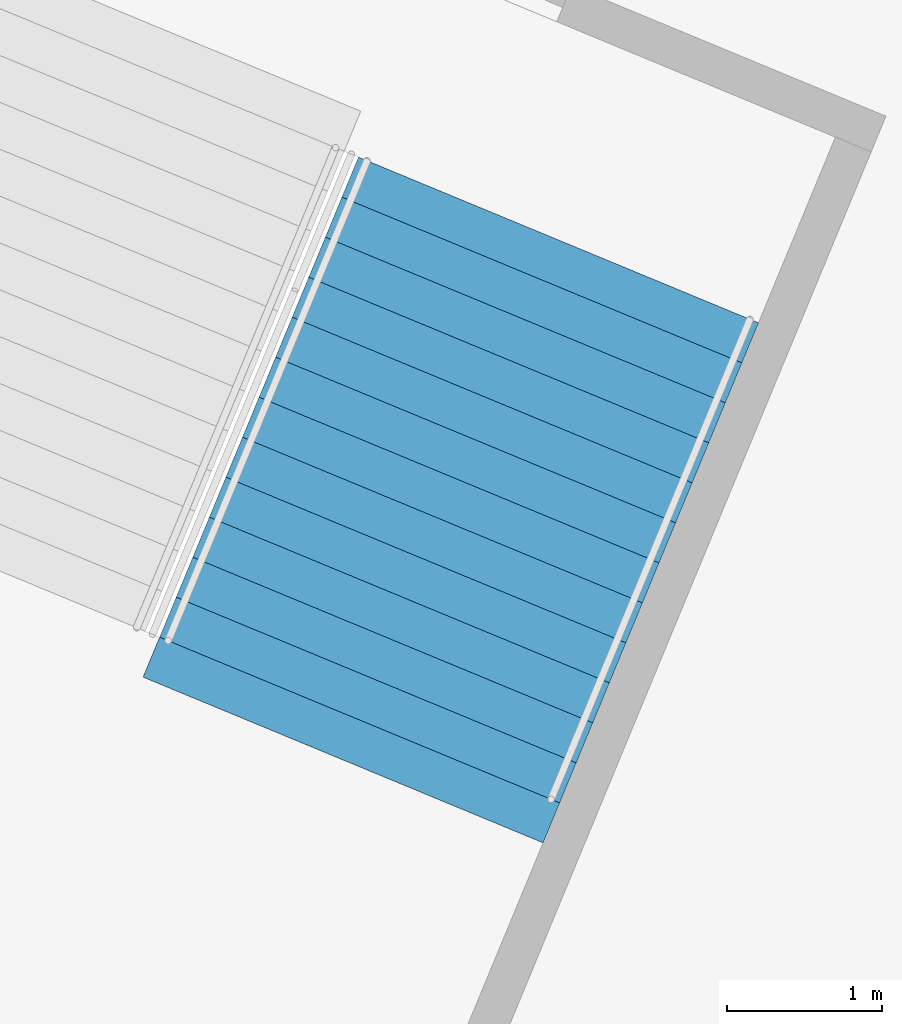
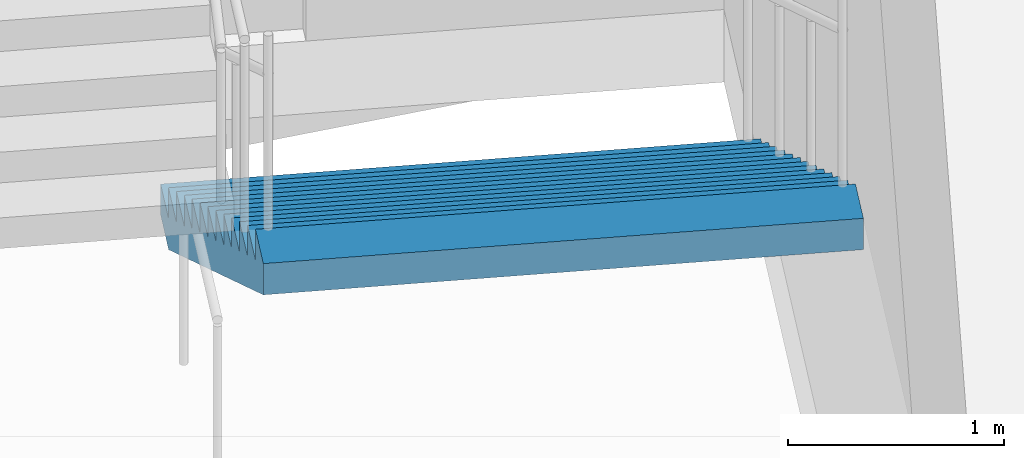
# One storey, part 108 of 199: 1 stair flight, 1 element without a shape of its own.
"""IFC4 building model written with IfcOpenShell, lengths in metres."""

from ifc_helpers import new_model, si_unit, direction, frame, origin, place, context, subcontext, project, spatial, faceted_brep, material, type_object, element, aggregate, save


model = new_model("IFC4")

# Units and contexts
model_context = context("Model", 3, precision=1e-05, world=origin(), true_north=direction((0.0, 1.0)))
body_context = subcontext(model_context, "Body", "Model", "MODEL_VIEW")
ifc_project = project(units=[si_unit("LENGTHUNIT", "METRE"), si_unit("AREAUNIT", "SQUARE_METRE"), si_unit("VOLUMEUNIT", "CUBIC_METRE"), si_unit("PLANEANGLEUNIT", "RADIAN"), si_unit("MASSUNIT", "GRAM", prefix="KILO")], contexts=[model_context])

# Site, building, storey
site_placement = place(None, origin())
site = spatial("IfcSite", under=ifc_project, at=site_placement, CompositionType="ELEMENT")
building_placement = place(site_placement, origin())
building = spatial("IfcBuilding", under=site, at=building_placement, Name="Ogive Plaza Stadium", CompositionType="ELEMENT")
storey_placement = place(building_placement, frame((0.0, 0.0, 4.5)))
storey = spatial("IfcBuildingStorey", under=building, at=storey_placement, Name="L01", CompositionType="ELEMENT", Elevation=4.5)

# Stair, stair flight
ifc_material_1 = material(Name="Concrete C40/50", Category="concrete")
stair_type = type_object("IfcStairType", Name="Exit stair", PredefinedType="STRAIGHT_RUN_STAIR", material=ifc_material_1)
stair_placement = place(storey_placement, origin())
stair = element("IfcStair", 1, at=stair_placement, inside=storey, type_object=stair_type, Name="Exit stair ST18B L01 to L02", PredefinedType="STRAIGHT_RUN_STAIR")
ifc_material_2 = material(Name="Concrete C40/50", Category="concrete")
stair_flight_type = type_object("IfcStairFlightType", Name="Exit stair flight", PredefinedType="STRAIGHT", material=ifc_material_2)
stair_flight_placement = place(storey_placement, frame((-46.118408203125, -93.319580078125, 0.0), z_axis=(0.0, 0.0, 1.0), x_axis=(-0.382683432365, -0.923879532511, 0.0)))
stair_flight = element("IfcStairFlight", 2, at=stair_flight_placement, type_object=stair_flight_type, Name="ST18B flight 1", NumberOfRisers=13, NumberOfTreads=12, PredefinedType="STRAIGHT", RiserHeight=0.173076923, TreadLength=0.28, context=body_context, shape_type="Brep", body=[
    faceted_brep([(0.28515625, -1.39990234375, 0.0), (3.639892578125, -1.39990234375, 2.07373046875), (3.639892578125, -1.39990234375, 2.25), (3.360107421875, -1.39990234375, 2.25), (3.360107421875, -1.39990234375, 2.076904296875), (3.080078125, -1.39990234375, 2.076904296875), (3.080078125, -1.39990234375, 1.90380859375), (2.800048828125, -1.39990234375, 1.90380859375), (2.800048828125, -1.39990234375, 1.730712890625), (2.52001953125, -1.39990234375, 1.730712890625), (2.52001953125, -1.39990234375, 1.5576171875), (2.239990234375, -1.39990234375, 1.5576171875), (2.239990234375, -1.39990234375, 1.384521484375), (1.9599609375, -1.39990234375, 1.384521484375), (1.9599609375, -1.39990234375, 1.21142578125), (1.679931640625, -1.39990234375, 1.21142578125), (1.679931640625, -1.39990234375, 1.03857421875), (1.39990234375, -1.39990234375, 1.03857421875), (1.39990234375, -1.39990234375, 0.865478515625), (1.1201171875, -1.39990234375, 0.865478515625), (1.1201171875, -1.39990234375, 0.6923828125), (0.840087890625, -1.39990234375, 0.6923828125), (0.840087890625, -1.39990234375, 0.519287109375), (0.56005859375, -1.39990234375, 0.519287109375), (0.56005859375, -1.39990234375, 0.34619140625), (0.280029296875, -1.39990234375, 0.34619140625), (0.280029296875, -1.39990234375, 0.173095703125), (0.0, -1.39990234375, 0.173095703125), (0.0, -1.39990234375, 0.0), (0.0, 1.39990234375, 0.0), (0.0, 1.39990234375, 0.173095703125), (0.280029296875, 1.39990234375, 0.173095703125), (0.280029296875, 1.39990234375, 0.34619140625), (0.56005859375, 1.39990234375, 0.34619140625), (0.56005859375, 1.39990234375, 0.519287109375), (0.840087890625, 1.39990234375, 0.519287109375), (0.840087890625, 1.39990234375, 0.6923828125), (1.1201171875, 1.39990234375, 0.6923828125), (1.1201171875, 1.39990234375, 0.865478515625), (1.39990234375, 1.39990234375, 0.865478515625), (1.39990234375, 1.39990234375, 1.03857421875), (1.679931640625, 1.39990234375, 1.03857421875), (1.679931640625, 1.39990234375, 1.21142578125), (1.9599609375, 1.39990234375, 1.21142578125), (1.9599609375, 1.39990234375, 1.384521484375), (2.239990234375, 1.39990234375, 1.384521484375), (2.239990234375, 1.39990234375, 1.5576171875), (2.52001953125, 1.39990234375, 1.5576171875), (2.52001953125, 1.39990234375, 1.730712890625), (2.800048828125, 1.39990234375, 1.730712890625), (2.800048828125, 1.39990234375, 1.90380859375), (3.080078125, 1.39990234375, 1.90380859375), (3.080078125, 1.39990234375, 2.076904296875), (3.360107421875, 1.39990234375, 2.076904296875), (3.360107421875, 1.39990234375, 2.25), (3.639892578125, 1.39990234375, 2.25), (3.639892578125, 1.39990234375, 2.07373046875), (0.28515625, 1.39990234375, 0.0), (0.28515625, -1.0888671875, 0.0), (3.639892578125, -1.0888671875, 2.07373046875), (0.28515625, -0.77783203125, 0.0), (3.639892578125, -0.77783203125, 2.07373046875), (0.28515625, -0.466796875, 0.0), (3.639892578125, -0.466796875, 2.07373046875), (0.28515625, -0.155517578125, 0.0), (3.639892578125, -0.155517578125, 2.07373046875), (0.28515625, 0.155517578125, 0.0), (3.639892578125, 0.155517578125, 2.07373046875), (0.28515625, 0.466796875, 0.0), (3.639892578125, 0.466796875, 2.07373046875), (0.28515625, 0.77783203125, 0.0), (3.639892578125, 0.77783203125, 2.07373046875), (0.28515625, 1.0888671875, 0.0), (3.639892578125, 1.0888671875, 2.07373046875), (3.639892578125, -1.0888671875, 2.25), (3.639892578125, -0.77783203125, 2.25), (3.639892578125, -0.466796875, 2.25), (3.639892578125, -0.155517578125, 2.25), (3.639892578125, 0.155517578125, 2.25), (3.639892578125, 0.466796875, 2.25), (3.639892578125, 0.77783203125, 2.25), (3.639892578125, 1.0888671875, 2.25), (3.360107421875, -1.0888671875, 2.25), (3.360107421875, -0.77783203125, 2.25), (3.360107421875, -0.466796875, 2.25), (3.360107421875, -0.155517578125, 2.25), (3.360107421875, 0.155517578125, 2.25), (3.360107421875, 0.466796875, 2.25), (3.360107421875, 0.77783203125, 2.25), (3.360107421875, 1.0888671875, 2.25), (3.360107421875, -1.0888671875, 2.076904296875), (3.360107421875, -0.77783203125, 2.076904296875), (3.360107421875, -0.466796875, 2.076904296875), (3.360107421875, -0.155517578125, 2.076904296875), (3.360107421875, 0.155517578125, 2.076904296875), (3.360107421875, 0.466796875, 2.076904296875), (3.360107421875, 0.77783203125, 2.076904296875), (3.360107421875, 1.0888671875, 2.076904296875), (3.080078125, -1.0888671875, 2.076904296875), (3.080078125, -0.77783203125, 2.076904296875), (3.080078125, -0.466796875, 2.076904296875), (3.080078125, -0.155517578125, 2.076904296875), (3.080078125, 0.155517578125, 2.076904296875), (3.080078125, 0.466796875, 2.076904296875), (3.080078125, 0.77783203125, 2.076904296875), (3.080078125, 1.0888671875, 2.076904296875), (3.080078125, -1.0888671875, 1.90380859375), (3.080078125, -0.77783203125, 1.90380859375), (3.080078125, -0.466796875, 1.90380859375), (3.080078125, -0.155517578125, 1.90380859375), (3.080078125, 0.155517578125, 1.90380859375), (3.080078125, 0.466796875, 1.90380859375), (3.080078125, 0.77783203125, 1.90380859375), (3.080078125, 1.0888671875, 1.90380859375), (2.800048828125, -1.0888671875, 1.90380859375), (2.800048828125, -0.77783203125, 1.90380859375), (2.800048828125, -0.466796875, 1.90380859375), (2.800048828125, -0.155517578125, 1.90380859375), (2.800048828125, 0.155517578125, 1.90380859375), (2.800048828125, 0.466796875, 1.90380859375), (2.800048828125, 0.77783203125, 1.90380859375), (2.800048828125, 1.0888671875, 1.90380859375), (2.800048828125, -1.0888671875, 1.730712890625), (2.800048828125, -0.77783203125, 1.730712890625), (2.800048828125, -0.466796875, 1.730712890625), (2.800048828125, -0.155517578125, 1.730712890625), (2.800048828125, 0.155517578125, 1.730712890625), (2.800048828125, 0.466796875, 1.730712890625), (2.800048828125, 0.77783203125, 1.730712890625), (2.800048828125, 1.0888671875, 1.730712890625), (2.52001953125, -1.0888671875, 1.730712890625), (2.52001953125, -0.77783203125, 1.730712890625), (2.52001953125, -0.466796875, 1.730712890625), (2.52001953125, -0.155517578125, 1.730712890625), (2.52001953125, 0.155517578125, 1.730712890625), (2.52001953125, 0.466796875, 1.730712890625), (2.52001953125, 0.77783203125, 1.730712890625), (2.52001953125, 1.0888671875, 1.730712890625), (2.52001953125, -1.0888671875, 1.5576171875), (2.52001953125, -0.77783203125, 1.5576171875), (2.52001953125, -0.466796875, 1.5576171875), (2.52001953125, -0.155517578125, 1.5576171875), (2.52001953125, 0.155517578125, 1.5576171875), (2.52001953125, 0.466796875, 1.5576171875), (2.52001953125, 0.77783203125, 1.5576171875), (2.52001953125, 1.0888671875, 1.5576171875), (2.239990234375, -1.0888671875, 1.5576171875), (2.239990234375, -0.77783203125, 1.5576171875), (2.239990234375, -0.466796875, 1.5576171875), (2.239990234375, -0.155517578125, 1.5576171875), (2.239990234375, 0.155517578125, 1.5576171875), (2.239990234375, 0.466796875, 1.5576171875), (2.239990234375, 0.77783203125, 1.5576171875), (2.239990234375, 1.0888671875, 1.5576171875), (2.239990234375, -1.0888671875, 1.384521484375), (2.239990234375, -0.77783203125, 1.384521484375), (2.239990234375, -0.466796875, 1.384521484375), (2.239990234375, -0.155517578125, 1.384521484375), (2.239990234375, 0.155517578125, 1.384521484375), (2.239990234375, 0.466796875, 1.384521484375), (2.239990234375, 0.77783203125, 1.384521484375), (2.239990234375, 1.0888671875, 1.384521484375), (1.9599609375, -1.0888671875, 1.384521484375), (1.9599609375, -0.77783203125, 1.384521484375), (1.9599609375, -0.466796875, 1.384521484375), (1.9599609375, -0.155517578125, 1.384521484375), (1.9599609375, 0.155517578125, 1.384521484375), (1.9599609375, 0.466796875, 1.384521484375), (1.9599609375, 0.77783203125, 1.384521484375), (1.9599609375, 1.0888671875, 1.384521484375), (1.9599609375, -1.0888671875, 1.21142578125), (1.9599609375, -0.77783203125, 1.21142578125), (1.9599609375, -0.466796875, 1.21142578125), (1.9599609375, -0.155517578125, 1.21142578125), (1.9599609375, 0.155517578125, 1.21142578125), (1.9599609375, 0.466796875, 1.21142578125), (1.9599609375, 0.77783203125, 1.21142578125), (1.9599609375, 1.0888671875, 1.21142578125), (1.679931640625, -1.0888671875, 1.21142578125), (1.679931640625, -0.77783203125, 1.21142578125), (1.679931640625, -0.466796875, 1.21142578125), (1.679931640625, -0.155517578125, 1.21142578125), (1.679931640625, 0.155517578125, 1.21142578125), (1.679931640625, 0.466796875, 1.21142578125), (1.679931640625, 0.77783203125, 1.21142578125), (1.679931640625, 1.0888671875, 1.21142578125), (1.679931640625, -1.0888671875, 1.03857421875), (1.679931640625, -0.77783203125, 1.03857421875), (1.679931640625, -0.466796875, 1.03857421875), (1.679931640625, -0.155517578125, 1.03857421875), (1.679931640625, 0.155517578125, 1.03857421875), (1.679931640625, 0.466796875, 1.03857421875), (1.679931640625, 0.77783203125, 1.03857421875), (1.679931640625, 1.0888671875, 1.03857421875), (1.39990234375, -1.0888671875, 1.03857421875), (1.39990234375, -0.77783203125, 1.03857421875), (1.39990234375, -0.466796875, 1.03857421875), (1.39990234375, -0.155517578125, 1.03857421875), (1.39990234375, 0.155517578125, 1.03857421875), (1.39990234375, 0.466796875, 1.03857421875), (1.39990234375, 0.77783203125, 1.03857421875), (1.39990234375, 1.0888671875, 1.03857421875), (1.39990234375, -1.0888671875, 0.865478515625), (1.39990234375, -0.77783203125, 0.865478515625), (1.39990234375, -0.466796875, 0.865478515625), (1.39990234375, -0.155517578125, 0.865478515625), (1.39990234375, 0.155517578125, 0.865478515625), (1.39990234375, 0.466796875, 0.865478515625), (1.39990234375, 0.77783203125, 0.865478515625), (1.39990234375, 1.0888671875, 0.865478515625), (1.1201171875, -1.0888671875, 0.865478515625), (1.1201171875, -0.77783203125, 0.865478515625), (1.1201171875, -0.466796875, 0.865478515625), (1.1201171875, -0.155517578125, 0.865478515625), (1.1201171875, 0.155517578125, 0.865478515625), (1.1201171875, 0.466796875, 0.865478515625), (1.1201171875, 0.77783203125, 0.865478515625), (1.1201171875, 1.0888671875, 0.865478515625), (1.1201171875, -1.0888671875, 0.6923828125), (1.1201171875, -0.77783203125, 0.6923828125), (1.1201171875, -0.466796875, 0.6923828125), (1.1201171875, -0.155517578125, 0.6923828125), (1.1201171875, 0.155517578125, 0.6923828125), (1.1201171875, 0.466796875, 0.6923828125), (1.1201171875, 0.77783203125, 0.6923828125), (1.1201171875, 1.0888671875, 0.6923828125), (0.840087890625, -1.0888671875, 0.6923828125), (0.840087890625, -0.77783203125, 0.6923828125), (0.840087890625, -0.466796875, 0.6923828125), (0.840087890625, -0.155517578125, 0.6923828125), (0.840087890625, 0.155517578125, 0.6923828125), (0.840087890625, 0.466796875, 0.6923828125), (0.840087890625, 0.77783203125, 0.6923828125), (0.840087890625, 1.0888671875, 0.6923828125), (0.840087890625, -1.0888671875, 0.519287109375), (0.840087890625, -0.77783203125, 0.519287109375), (0.840087890625, -0.466796875, 0.519287109375), (0.840087890625, -0.155517578125, 0.519287109375), (0.840087890625, 0.155517578125, 0.519287109375), (0.840087890625, 0.466796875, 0.519287109375), (0.840087890625, 0.77783203125, 0.519287109375), (0.840087890625, 1.0888671875, 0.519287109375), (0.56005859375, -1.0888671875, 0.519287109375), (0.56005859375, -0.77783203125, 0.519287109375), (0.56005859375, -0.466796875, 0.519287109375), (0.56005859375, -0.155517578125, 0.519287109375), (0.56005859375, 0.155517578125, 0.519287109375), (0.56005859375, 0.466796875, 0.519287109375), (0.56005859375, 0.77783203125, 0.519287109375), (0.56005859375, 1.0888671875, 0.519287109375), (0.56005859375, -1.0888671875, 0.34619140625), (0.56005859375, -0.77783203125, 0.34619140625), (0.56005859375, -0.466796875, 0.34619140625), (0.56005859375, -0.155517578125, 0.34619140625), (0.56005859375, 0.155517578125, 0.34619140625), (0.56005859375, 0.466796875, 0.34619140625), (0.56005859375, 0.77783203125, 0.34619140625), (0.56005859375, 1.0888671875, 0.34619140625), (0.280029296875, -1.0888671875, 0.34619140625), (0.280029296875, -0.77783203125, 0.34619140625), (0.280029296875, -0.466796875, 0.34619140625), (0.280029296875, -0.155517578125, 0.34619140625), (0.280029296875, 0.155517578125, 0.34619140625), (0.280029296875, 0.466796875, 0.34619140625), (0.280029296875, 0.77783203125, 0.34619140625), (0.280029296875, 1.0888671875, 0.34619140625), (0.280029296875, -1.0888671875, 0.173095703125), (0.280029296875, -0.77783203125, 0.173095703125), (0.280029296875, -0.466796875, 0.173095703125), (0.280029296875, -0.155517578125, 0.173095703125), (0.280029296875, 0.155517578125, 0.173095703125), (0.280029296875, 0.466796875, 0.173095703125), (0.280029296875, 0.77783203125, 0.173095703125), (0.280029296875, 1.0888671875, 0.173095703125), (0.0, -1.0888671875, 0.173095703125), (0.0, -0.77783203125, 0.173095703125), (0.0, -0.466796875, 0.173095703125), (0.0, -0.155517578125, 0.173095703125), (0.0, 0.155517578125, 0.173095703125), (0.0, 0.466796875, 0.173095703125), (0.0, 0.77783203125, 0.173095703125), (0.0, 1.0888671875, 0.173095703125), (0.0, -1.0888671875, 0.0), (0.0, -0.77783203125, 0.0), (0.0, -0.466796875, 0.0), (0.0, -0.155517578125, 0.0), (0.0, 0.155517578125, 0.0), (0.0, 0.466796875, 0.0), (0.0, 0.77783203125, 0.0), (0.0, 1.0888671875, 0.0)], [[[0, 1, 2, 3, 4, 5, 6, 7, 8, 9, 10, 11, 12, 13, 14, 15, 16, 17, 18, 19, 20, 21, 22, 23, 24, 25, 26, 27, 28]], [[29, 30, 31, 32, 33, 34, 35, 36, 37, 38, 39, 40, 41, 42, 43, 44, 45, 46, 47, 48, 49, 50, 51, 52, 53, 54, 55, 56, 57]], [[0, 58, 59, 1]], [[58, 60, 61, 59]], [[60, 62, 63, 61]], [[62, 64, 65, 63]], [[64, 66, 67, 65]], [[66, 68, 69, 67]], [[68, 70, 71, 69]], [[70, 72, 73, 71]], [[72, 57, 56, 73]], [[1, 59, 74, 2]], [[59, 61, 75, 74]], [[61, 63, 76, 75]], [[63, 65, 77, 76]], [[65, 67, 78, 77]], [[67, 69, 79, 78]], [[69, 71, 80, 79]], [[71, 73, 81, 80]], [[73, 56, 55, 81]], [[2, 74, 82, 3]], [[74, 75, 83, 82]], [[75, 76, 84, 83]], [[76, 77, 85, 84]], [[77, 78, 86, 85]], [[78, 79, 87, 86]], [[79, 80, 88, 87]], [[80, 81, 89, 88]], [[81, 55, 54, 89]], [[3, 82, 90, 4]], [[82, 83, 91, 90]], [[83, 84, 92, 91]], [[84, 85, 93, 92]], [[85, 86, 94, 93]], [[86, 87, 95, 94]], [[87, 88, 96, 95]], [[88, 89, 97, 96]], [[89, 54, 53, 97]], [[4, 90, 98, 5]], [[90, 91, 99, 98]], [[91, 92, 100, 99]], [[92, 93, 101, 100]], [[93, 94, 102, 101]], [[94, 95, 103, 102]], [[95, 96, 104, 103]], [[96, 97, 105, 104]], [[97, 53, 52, 105]], [[5, 98, 106, 6]], [[98, 99, 107, 106]], [[99, 100, 108, 107]], [[100, 101, 109, 108]], [[101, 102, 110, 109]], [[102, 103, 111, 110]], [[103, 104, 112, 111]], [[104, 105, 113, 112]], [[105, 52, 51, 113]], [[6, 106, 114, 7]], [[106, 107, 115, 114]], [[107, 108, 116, 115]], [[108, 109, 117, 116]], [[109, 110, 118, 117]], [[110, 111, 119, 118]], [[111, 112, 120, 119]], [[112, 113, 121, 120]], [[113, 51, 50, 121]], [[7, 114, 122, 8]], [[114, 115, 123, 122]], [[115, 116, 124, 123]], [[116, 117, 125, 124]], [[117, 118, 126, 125]], [[118, 119, 127, 126]], [[119, 120, 128, 127]], [[120, 121, 129, 128]], [[121, 50, 49, 129]], [[8, 122, 130, 9]], [[122, 123, 131, 130]], [[123, 124, 132, 131]], [[124, 125, 133, 132]], [[125, 126, 134, 133]], [[126, 127, 135, 134]], [[127, 128, 136, 135]], [[128, 129, 137, 136]], [[129, 49, 48, 137]], [[9, 130, 138, 10]], [[130, 131, 139, 138]], [[131, 132, 140, 139]], [[132, 133, 141, 140]], [[133, 134, 142, 141]], [[134, 135, 143, 142]], [[135, 136, 144, 143]], [[136, 137, 145, 144]], [[137, 48, 47, 145]], [[10, 138, 146, 11]], [[138, 139, 147, 146]], [[139, 140, 148, 147]], [[140, 141, 149, 148]], [[141, 142, 150, 149]], [[142, 143, 151, 150]], [[143, 144, 152, 151]], [[144, 145, 153, 152]], [[145, 47, 46, 153]], [[11, 146, 154, 12]], [[146, 147, 155, 154]], [[147, 148, 156, 155]], [[148, 149, 157, 156]], [[149, 150, 158, 157]], [[150, 151, 159, 158]], [[151, 152, 160, 159]], [[152, 153, 161, 160]], [[153, 46, 45, 161]], [[12, 154, 162, 13]], [[154, 155, 163, 162]], [[155, 156, 164, 163]], [[156, 157, 165, 164]], [[157, 158, 166, 165]], [[158, 159, 167, 166]], [[159, 160, 168, 167]], [[160, 161, 169, 168]], [[161, 45, 44, 169]], [[13, 162, 170, 14]], [[162, 163, 171, 170]], [[163, 164, 172, 171]], [[164, 165, 173, 172]], [[165, 166, 174, 173]], [[166, 167, 175, 174]], [[167, 168, 176, 175]], [[168, 169, 177, 176]], [[169, 44, 43, 177]], [[14, 170, 178, 15]], [[170, 171, 179, 178]], [[171, 172, 180, 179]], [[172, 173, 181, 180]], [[173, 174, 182, 181]], [[174, 175, 183, 182]], [[175, 176, 184, 183]], [[176, 177, 185, 184]], [[177, 43, 42, 185]], [[15, 178, 186, 16]], [[178, 179, 187, 186]], [[179, 180, 188, 187]], [[180, 181, 189, 188]], [[181, 182, 190, 189]], [[182, 183, 191, 190]], [[183, 184, 192, 191]], [[184, 185, 193, 192]], [[185, 42, 41, 193]], [[16, 186, 194, 17]], [[186, 187, 195, 194]], [[187, 188, 196, 195]], [[188, 189, 197, 196]], [[189, 190, 198, 197]], [[190, 191, 199, 198]], [[191, 192, 200, 199]], [[192, 193, 201, 200]], [[193, 41, 40, 201]], [[17, 194, 202, 18]], [[194, 195, 203, 202]], [[195, 196, 204, 203]], [[196, 197, 205, 204]], [[197, 198, 206, 205]], [[198, 199, 207, 206]], [[199, 200, 208, 207]], [[200, 201, 209, 208]], [[201, 40, 39, 209]], [[18, 202, 210, 19]], [[202, 203, 211, 210]], [[203, 204, 212, 211]], [[204, 205, 213, 212]], [[205, 206, 214, 213]], [[206, 207, 215, 214]], [[207, 208, 216, 215]], [[208, 209, 217, 216]], [[209, 39, 38, 217]], [[19, 210, 218, 20]], [[210, 211, 219, 218]], [[211, 212, 220, 219]], [[212, 213, 221, 220]], [[213, 214, 222, 221]], [[214, 215, 223, 222]], [[215, 216, 224, 223]], [[216, 217, 225, 224]], [[217, 38, 37, 225]], [[20, 218, 226, 21]], [[218, 219, 227, 226]], [[219, 220, 228, 227]], [[220, 221, 229, 228]], [[221, 222, 230, 229]], [[222, 223, 231, 230]], [[223, 224, 232, 231]], [[224, 225, 233, 232]], [[225, 37, 36, 233]], [[21, 226, 234, 22]], [[226, 227, 235, 234]], [[227, 228, 236, 235]], [[228, 229, 237, 236]], [[229, 230, 238, 237]], [[230, 231, 239, 238]], [[231, 232, 240, 239]], [[232, 233, 241, 240]], [[233, 36, 35, 241]], [[22, 234, 242, 23]], [[234, 235, 243, 242]], [[235, 236, 244, 243]], [[236, 237, 245, 244]], [[237, 238, 246, 245]], [[238, 239, 247, 246]], [[239, 240, 248, 247]], [[240, 241, 249, 248]], [[241, 35, 34, 249]], [[23, 242, 250, 24]], [[242, 243, 251, 250]], [[243, 244, 252, 251]], [[244, 245, 253, 252]], [[245, 246, 254, 253]], [[246, 247, 255, 254]], [[247, 248, 256, 255]], [[248, 249, 257, 256]], [[249, 34, 33, 257]], [[24, 250, 258, 25]], [[250, 251, 259, 258]], [[251, 252, 260, 259]], [[252, 253, 261, 260]], [[253, 254, 262, 261]], [[254, 255, 263, 262]], [[255, 256, 264, 263]], [[256, 257, 265, 264]], [[257, 33, 32, 265]], [[25, 258, 266, 26]], [[258, 259, 267, 266]], [[259, 260, 268, 267]], [[260, 261, 269, 268]], [[261, 262, 270, 269]], [[262, 263, 271, 270]], [[263, 264, 272, 271]], [[264, 265, 273, 272]], [[265, 32, 31, 273]], [[26, 266, 274, 27]], [[266, 267, 275, 274]], [[267, 268, 276, 275]], [[268, 269, 277, 276]], [[269, 270, 278, 277]], [[270, 271, 279, 278]], [[271, 272, 280, 279]], [[272, 273, 281, 280]], [[273, 31, 30, 281]], [[27, 274, 282, 28]], [[274, 275, 283, 282]], [[275, 276, 284, 283]], [[276, 277, 285, 284]], [[277, 278, 286, 285]], [[278, 279, 287, 286]], [[279, 280, 288, 287]], [[280, 281, 289, 288]], [[281, 30, 29, 289]], [[28, 282, 58, 0]], [[282, 283, 60, 58]], [[283, 284, 62, 60]], [[284, 285, 64, 62]], [[285, 286, 66, 64]], [[286, 287, 68, 66]], [[287, 288, 70, 68]], [[288, 289, 72, 70]], [[289, 29, 57, 72]]]),
])
aggregate(stair, [stair_flight])

save(model, "model.ifc")
